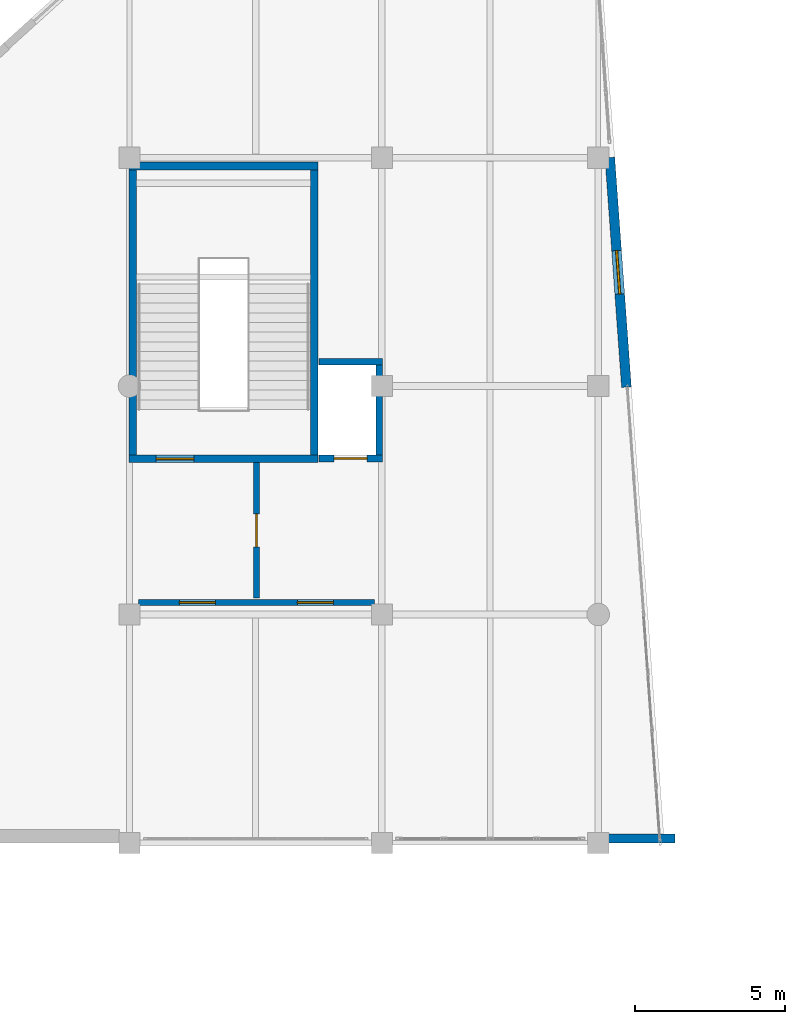
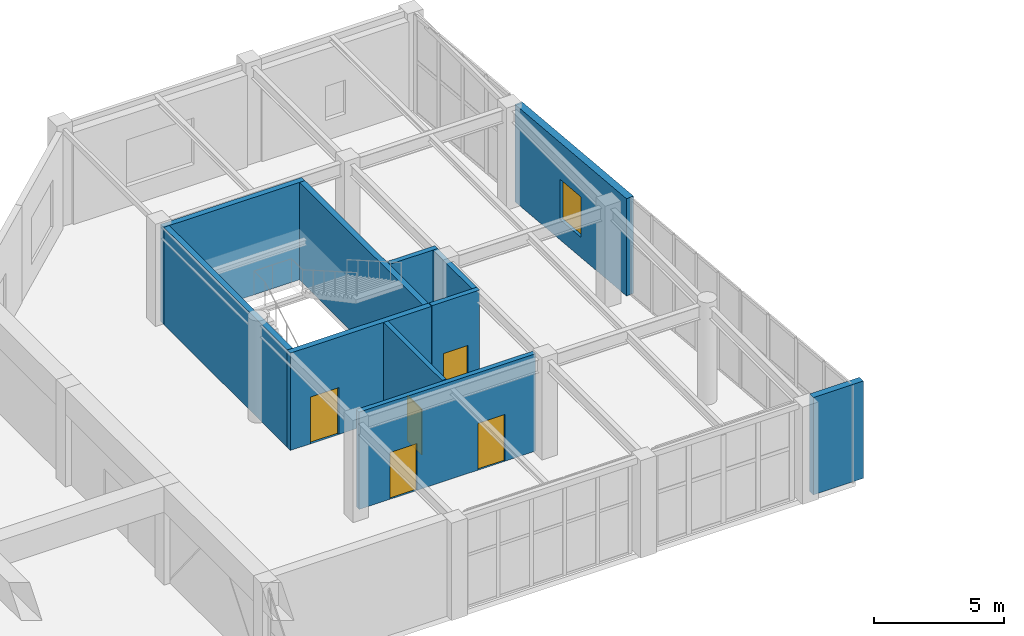
# One storey, part 64 of 72: 11 walls, 5 doors, 1 window, 6 openings.
"""IFC4 building model written with IfcOpenShell, lengths in metres."""

from ifc_helpers import new_model, si_unit, direction, frame, frame_2d, origin, place, context, subcontext, project, spatial, rectangle, extrude, material, layer, layer_set, type_object, element, fill, save


model = new_model("IFC4")

# Units and contexts
model_context = context("Model", 3, precision=1e-05, world=origin(), true_north=direction((0.0, 1.0)))
body_context = subcontext(model_context, "Body", "Model", "MODEL_VIEW")
ifc_project = project(units=[si_unit("LENGTHUNIT", "METRE"), si_unit("AREAUNIT", "SQUARE_METRE"), si_unit("VOLUMEUNIT", "CUBIC_METRE"), si_unit("PLANEANGLEUNIT", "RADIAN"), si_unit("MASSUNIT", "GRAM", prefix="KILO")], contexts=[model_context])

# Site, building, storey
site_placement = place(None, origin())
site = spatial("IfcSite", under=ifc_project, at=site_placement, CompositionType="ELEMENT")
building_placement = place(site_placement, origin())
building = spatial("IfcBuilding", under=site, at=building_placement, Name="Xicomal Pleat Aquarium", CompositionType="ELEMENT")
storey_placement = place(building_placement, frame((0.0, 0.0, 10.5)))
storey = spatial("IfcBuildingStorey", under=building, at=storey_placement, Name="L03", CompositionType="ELEMENT", Elevation=10.5)

# Wall, opening, door
ifc_material_1 = material(Name="Concrete C40/50", Category="concrete")
ifc_layer_1 = layer(ifc_material_1, 0.219970703125)
ifc_layer_set_1 = layer_set([ifc_layer_1], Name="Concrete C40/50")
wall_type_1 = type_object("IfcWallType", Name="WAL-COR-220", PredefinedType="SHEAR", material=ifc_layer_set_1)
wall_1_placement = place(storey_placement, frame((108.89990234375, 50.7900390625, 0.0), z_axis=(0.0, 0.0, 1.0), x_axis=(1.0, 0.0, 0.0)))
wall_1 = element("IfcWall", 1, at=wall_1_placement, inside=storey, type_object=wall_type_1, Name="L03 LF-07 lift shaft wall CW-L03-C7-LS", PredefinedType="SHEAR", context=body_context, shape_type="SweptSolid", body=[
    extrude(rectangle(XDim=2.1201171875, YDim=0.219970703125, at=frame_2d((1.06005859375, 0.0))), origin(), (0.0, 0.0, 1.0), 4.574951171875),
])
opening_1_placement = place(wall_1_placement, frame((0.510009765625, 0.0, 0.0)))
opening_1 = element("IfcOpeningElement", 2, at=opening_1_placement, cuts=wall_1, Name="Opening LD-07-L03", PredefinedType="OPENING", context=body_context, shape_type="SweptSolid", body=[
    extrude(rectangle(XDim=1.10009765625, YDim=2.14990234375, at=frame_2d((0.550048828125, 1.074951171875))), frame((0.0, 0.119873046875, 0.0), z_axis=(0.0, -1.0, 0.0), x_axis=(1.0, 0.0, 0.0)), (0.0, 0.0, 1.0), 0.239990234375),
])
ifc_material_2 = material(Name="Brushed stainless steel 304", Category="steel")
door_type_1 = type_object("IfcDoorType", Name="DOR-LD-1100x2150", OperationType="DOUBLE_DOOR_SLIDING", PredefinedType="DOOR", material=ifc_material_2)
door_1_placement = place(opening_1_placement, origin())
door_1 = element("IfcDoor", 3, at=door_1_placement, inside=storey, type_object=door_type_1, Name="L03 LF-07 sliding lift landing door", OperationType="DOUBLE_DOOR_SLIDING", OverallHeight=2.14990234375, OverallWidth=1.10009765625, PredefinedType="DOOR", context=body_context, shape_type="SweptSolid", body=[
    extrude(rectangle(XDim=1.10009765625, YDim=2.14990234375, at=frame_2d((0.550048828125, 1.074951171875))), frame((0.0, 0.02490234375, 0.0), z_axis=(0.0, -1.0, 0.0), x_axis=(1.0, 0.0, 0.0)), (0.0, 0.0, 1.0), 0.050048828125),
])
fill(opening_1, door_1)

# Walls
wall_2_placement = place(storey_placement, frame((108.89990234375, 54.010009765625, 0.0), z_axis=(0.0, 0.0, 1.0), x_axis=(1.0, 0.0, 0.0)))
element("IfcWall", 4, at=wall_2_placement, inside=storey, type_object=wall_type_1, Name="L03 LF-07 lift shaft wall CW-L03-C7-LN", PredefinedType="SHEAR", context=body_context, shape_type="SweptSolid", body=[
    extrude(rectangle(XDim=2.1201171875, YDim=0.219970703125, at=frame_2d((1.06005859375, 0.0))), origin(), (0.0, 0.0, 1.0), 4.574951171875),
])
wall_3_placement = place(storey_placement, frame((110.909912109375, 50.89990234375, 0.0), z_axis=(0.0, 0.0, 1.0), x_axis=(0.0, 1.0, 0.0)))
element("IfcWall", 5, at=wall_3_placement, inside=storey, type_object=wall_type_1, Name="L03 LF-07 lift shaft wall CW-L03-C7-LE", PredefinedType="SHEAR", context=body_context, shape_type="SweptSolid", body=[
    extrude(rectangle(XDim=3.0, YDim=0.219970703125, at=frame_2d((1.5, 0.0))), origin(), (0.0, 0.0, 1.0), 4.574951171875),
])

# Wall, opening, door
ifc_material_3 = material(Name="Concrete C40/50", Category="concrete")
ifc_layer_2 = layer(ifc_material_3, 0.25)
ifc_layer_set_2 = layer_set([ifc_layer_2], Name="Concrete C40/50")
wall_type_2 = type_object("IfcWallType", Name="WAL-COR-250", PredefinedType="SHEAR", material=ifc_layer_set_2)
wall_4_placement = place(storey_placement, frame((102.590087890625, 50.77490234375, 0.0), z_axis=(0.0, 0.0, 1.0), x_axis=(1.0, 0.0, 0.0)))
wall_4 = element("IfcWall", 6, at=wall_4_placement, inside=storey, type_object=wall_type_2, Name="L03 CORE-7 stair shear wall CW-L03-C7-SS", PredefinedType="SHEAR", context=body_context, shape_type="SweptSolid", body=[
    extrude(rectangle(XDim=6.280029296875, YDim=0.25, at=frame_2d((3.14013671875, 0.0))), origin(), (0.0, 0.0, 1.0), 4.574951171875),
])
opening_2_placement = place(wall_4_placement, frame((0.89990234375, 0.0, 0.0)))
opening_2 = element("IfcOpeningElement", 7, at=opening_2_placement, cuts=wall_4, Name="Opening SD-07-L03", PredefinedType="OPENING", context=body_context, shape_type="SweptSolid", body=[
    extrude(rectangle(XDim=1.25, YDim=2.199951171875, at=frame_2d((0.625, 1.10009765625))), frame((0.0, 0.135009765625, 0.0), z_axis=(0.0, -1.0, 0.0), x_axis=(1.0, 0.0, 0.0)), (0.0, 0.0, 1.0), 0.27001953125),
])
ifc_material_4 = material(Name="Powder-coated steel fire door", Category="steel")
door_type_2 = type_object("IfcDoorType", Name="DOR-ST-1250x2200", OperationType="NOTDEFINED", PredefinedType="DOOR", material=ifc_material_4)
door_2_placement = place(opening_2_placement, origin())
door_2 = element("IfcDoor", 8, at=door_2_placement, inside=storey, type_object=door_type_2, Name="L03 ST-07 protected stair door", OperationType="SINGLE_SWING_LEFT", OverallHeight=2.199951171875, OverallWidth=1.25, PredefinedType="DOOR", context=body_context, shape_type="SweptSolid", body=[
    extrude(rectangle(XDim=1.25, YDim=2.199951171875, at=frame_2d((0.625, 1.10009765625))), frame((0.0, 0.02490234375, 0.0), z_axis=(0.0, -1.0, 0.0), x_axis=(1.0, 0.0, 0.0)), (0.0, 0.0, 1.0), 0.050048828125),
])
fill(opening_2, door_2)

# Walls
wall_5_placement = place(storey_placement, frame((102.590087890625, 60.52490234375, 0.0), z_axis=(0.0, 0.0, 1.0), x_axis=(1.0, 0.0, 0.0)))
element("IfcWall", 9, at=wall_5_placement, inside=storey, type_object=wall_type_2, Name="L03 CORE-7 stair shear wall CW-L03-C7-SN", PredefinedType="SHEAR", context=body_context, shape_type="SweptSolid", body=[
    extrude(rectangle(XDim=6.280029296875, YDim=0.25, at=frame_2d((3.14013671875, 0.0))), origin(), (0.0, 0.0, 1.0), 4.574951171875),
])
for number, where, z_axis, x_axis, name in (
    (10, (102.715087890625, 50.89990234375, 0.0), (0.0, 0.0, 1.0), (0.0, 1.0, 0.0), "L03 CORE-7 stair shear wall CW-L03-C7-SW"),
    (11, (108.7451171875, 50.89990234375, 0.0), (0.0, 0.0, 1.0), (0.0, 1.0, 0.0), "L03 CORE-7 stair shear wall CW-L03-C7-SE"),
):
    element("IfcWall", number, at=place(storey_placement, frame(where, z_axis=z_axis, x_axis=x_axis)), inside=storey, type_object=wall_type_2, Name=name, PredefinedType="SHEAR", context=body_context, shape_type="SweptSolid", body=[
        extrude(rectangle(XDim=9.5, YDim=0.25, at=frame_2d((4.75, 0.0))), origin(), (0.0, 0.0, 1.0), 4.574951171875),
    ])
ifc_material_5 = material(Name="Precast concrete C40/50", Category="concrete")
ifc_layer_3 = layer(ifc_material_5, 0.2900390625)
ifc_layer_set_3 = layer_set([ifc_layer_3], Name="Precast concrete C40/50")
wall_type_3 = type_object("IfcWallType", Name="WAL-EXT-PRC-290", PredefinedType="SOLIDWALL", material=ifc_layer_set_3)
wall_6_placement = place(storey_placement, frame((120.760009765625, 38.14501953125, 0.0), z_axis=(0.0, 0.0, 1.0), x_axis=(-1.0, 0.0, 0.0)))
element("IfcWall", 12, at=wall_6_placement, inside=storey, type_object=wall_type_3, Name="L03 exterior basalt-precast wall EW-L03-033", PredefinedType="SOLIDWALL", context=body_context, shape_type="SweptSolid", body=[
    extrude(rectangle(XDim=2.22509765625, YDim=0.2900390625, at=frame_2d((1.112548828125, 0.0))), origin(), (0.0, 0.0, 1.0), 4.574951171875),
])

# Wall, opening, window
ifc_material_6 = material(Name="Precast concrete C40/50", Category="concrete")
ifc_layer_4 = layer(ifc_material_6, 0.324951171875)
ifc_layer_set_4 = layer_set([ifc_layer_4], Name="Precast concrete C40/50")
wall_type_4 = type_object("IfcWallType", Name="WAL-EXT-PRC-325", PredefinedType="SOLIDWALL", material=ifc_layer_set_4)
wall_7_placement = place(storey_placement, frame((118.5859375, 60.80810546875, 0.0), z_axis=(0.0, 0.0, 1.0), x_axis=(0.07218925375, -0.997390952256, 0.0)))
wall_7 = element("IfcWall", 13, at=wall_7_placement, inside=storey, type_object=wall_type_4, Name="L03 exterior basalt-precast wall EW-L03-030", PredefinedType="SOLIDWALL", context=body_context, shape_type="SweptSolid", body=[
    extrude(rectangle(XDim=7.66015625, YDim=0.324951171875, at=frame_2d((3.830078125, 0.0))), origin(), (0.0, 0.0, 1.0), 4.574951171875),
])
opening_3_placement = place(wall_7_placement, frame((3.10498046875, 0.0, 0.949951171875)))
opening_3 = element("IfcOpeningElement", 14, at=opening_3_placement, cuts=wall_7, Name="Opening WN-17", PredefinedType="OPENING", context=body_context, shape_type="SweptSolid", body=[
    extrude(rectangle(XDim=1.449951171875, YDim=1.89990234375, at=frame_2d((0.72509765625, 0.949951171875))), frame((0.0, 0.17236328125, 0.0), z_axis=(0.0, -1.0, 0.0), x_axis=(1.0, 0.0, 0.0)), (0.0, 0.0, 1.0), 0.344970703125),
])
ifc_material_7 = material(Name="Insulated low-E laminated glass", Category="glass")
window_type = type_object("IfcWindowType", Name="WIN-EXT-1450x1900", PartitioningType="SINGLE_PANEL", PredefinedType="WINDOW", material=ifc_material_7)
window_placement = place(opening_3_placement, origin())
window = element("IfcWindow", 15, at=window_placement, inside=storey, type_object=window_type, Name="L03 thermally broken low-E window 17", OverallHeight=1.89990234375, OverallWidth=1.449951171875, PartitioningType="SINGLE_PANEL", PredefinedType="WINDOW", context=body_context, shape_type="SweptSolid", body=[
    extrude(rectangle(XDim=1.449951171875, YDim=1.89990234375, at=frame_2d((0.72509765625, 0.949951171875))), frame((0.0, 0.030029296875, 0.0), z_axis=(0.0, -1.0, 0.0), x_axis=(1.0, 0.0, 0.0)), (0.0, 0.0, 1.0), 0.06005859375),
])
fill(opening_3, window)

# Wall, opening, door
ifc_material_8 = material(Name="Acoustic double-stud drywall partition", Category="gypsum")
ifc_layer_5 = layer(ifc_material_8, 0.195068359375)
ifc_layer_set_5 = layer_set([ifc_layer_5], Name="Acoustic double-stud drywall partition")
wall_type_5 = type_object("IfcWallType", Name="WAL-PRT-195", PredefinedType="PARTITIONING", material=ifc_layer_set_5)
wall_8_placement = place(storey_placement, frame((106.824951171875, 46.14990234375, 0.0), z_axis=(0.0, 0.0, 1.0), x_axis=(0.0, 1.0, 0.0)))
wall_8 = element("IfcWall", 16, at=wall_8_placement, inside=storey, type_object=wall_type_5, Name="L03 firefighting lobby smoke divider 7", PredefinedType="PARTITIONING", context=body_context, shape_type="SweptSolid", body=[
    extrude(rectangle(XDim=4.5, YDim=0.195068359375, at=frame_2d((2.25, 0.0))), origin(), (0.0, 0.0, 1.0), 4.574951171875),
])
opening_4_placement = place(wall_8_placement, frame((1.699951171875, 0.0, 0.0)))
opening_4 = element("IfcOpeningElement", 17, at=opening_4_placement, cuts=wall_8, Name="Opening FD-07C-L03", PredefinedType="OPENING", context=body_context, shape_type="SweptSolid", body=[
    extrude(rectangle(XDim=1.10009765625, YDim=2.14990234375, at=frame_2d((0.550048828125, 1.074951171875))), frame((0.0, 0.107421875, 0.0), z_axis=(0.0, -1.0, 0.0), x_axis=(1.0, 0.0, 0.0)), (0.0, 0.0, 1.0), 0.215087890625),
])
ifc_material_9 = material(Name="Powder-coated steel fire door", Category="steel")
door_type_3 = type_object("IfcDoorType", Name="DOR-LAB-1100x2150", OperationType="NOTDEFINED", PredefinedType="DOOR", material=ifc_material_9)
door_3_placement = place(opening_4_placement, origin())
door_3 = element("IfcDoor", 18, at=door_3_placement, inside=storey, type_object=door_type_3, Name="L03 lobby interconnecting fire door 7C", OperationType="SINGLE_SWING_RIGHT", OverallHeight=2.14990234375, OverallWidth=1.10009765625, PredefinedType="DOOR", context=body_context, shape_type="SweptSolid", body=[
    extrude(rectangle(XDim=1.10009765625, YDim=2.14990234375, at=frame_2d((0.550048828125, 1.074951171875))), frame((0.0, 0.02490234375, 0.0), z_axis=(0.0, -1.0, 0.0), x_axis=(1.0, 0.0, 0.0)), (0.0, 0.0, 1.0), 0.050048828125),
])
fill(opening_4, door_3)

# Wall, openings, doors
ifc_material_10 = material(Name="Fire-rated gypsum and mineral-wool partition", Category="gypsum")
ifc_layer_6 = layer(ifc_material_10, 0.2099609375)
ifc_layer_set_6 = layer_set([ifc_layer_6], Name="Fire-rated gypsum and mineral-wool partition")
wall_type_6 = type_object("IfcWallType", Name="WAL-PRT-210", PredefinedType="PARTITIONING", material=ifc_layer_set_6)
wall_9_placement = place(storey_placement, frame((102.89990234375, 46.0, 0.0), z_axis=(0.0, 0.0, 1.0), x_axis=(1.0, 0.0, 0.0)))
wall_9 = element("IfcWall", 19, at=wall_9_placement, inside=storey, type_object=wall_type_6, Name="L03 CORE-7 lobby fire enclosure wall", PredefinedType="PARTITIONING", context=body_context, shape_type="SweptSolid", body=[
    extrude(rectangle(XDim=7.85009765625, YDim=0.2099609375, at=frame_2d((3.925048828125, 0.0))), origin(), (0.0, 0.0, 1.0), 4.574951171875),
])
opening_5_placement = place(wall_9_placement, frame((1.362060546875, 0.0, 0.0)))
opening_5 = element("IfcOpeningElement", 20, at=opening_5_placement, cuts=wall_9, Name="Opening FD-07A-L03", PredefinedType="OPENING", context=body_context, shape_type="SweptSolid", body=[
    extrude(rectangle(XDim=1.199951171875, YDim=2.199951171875, at=frame_2d((0.60009765625, 1.10009765625))), frame((0.0, 0.114990234375, 0.0), z_axis=(0.0, -1.0, 0.0), x_axis=(1.0, 0.0, 0.0)), (0.0, 0.0, 1.0), 0.22998046875),
])
opening_6_placement = place(wall_9_placement, frame((5.287109375, 0.0, 0.0)))
opening_6 = element("IfcOpeningElement", 21, at=opening_6_placement, cuts=wall_9, Name="Opening FD-07B-L03", PredefinedType="OPENING", context=body_context, shape_type="SweptSolid", body=[
    extrude(rectangle(XDim=1.199951171875, YDim=2.199951171875, at=frame_2d((0.60009765625, 1.10009765625))), frame((0.0, 0.114990234375, 0.0), z_axis=(0.0, -1.0, 0.0), x_axis=(1.0, 0.0, 0.0)), (0.0, 0.0, 1.0), 0.22998046875),
])
ifc_material_11 = material(Name="Powder-coated steel fire door", Category="steel")
door_type_4 = type_object("IfcDoorType", Name="DOR-FFL-1200x2200", OperationType="NOTDEFINED", PredefinedType="DOOR", material=ifc_material_11)
door_4_placement = place(opening_5_placement, origin())
door_4 = element("IfcDoor", 22, at=door_4_placement, inside=storey, type_object=door_type_4, Name="L03 firefighting lobby door 7A", OperationType="SINGLE_SWING_RIGHT", OverallHeight=2.199951171875, OverallWidth=1.199951171875, PredefinedType="DOOR", context=body_context, shape_type="SweptSolid", body=[
    extrude(rectangle(XDim=1.199951171875, YDim=2.199951171875, at=frame_2d((0.60009765625, 1.10009765625))), frame((0.0, 0.02490234375, 0.0), z_axis=(0.0, -1.0, 0.0), x_axis=(1.0, 0.0, 0.0)), (0.0, 0.0, 1.0), 0.050048828125),
])
fill(opening_5, door_4)
door_5_placement = place(opening_6_placement, origin())
door_5 = element("IfcDoor", 23, at=door_5_placement, inside=storey, type_object=door_type_4, Name="L03 lift lobby door 7B", OperationType="SINGLE_SWING_LEFT", OverallHeight=2.199951171875, OverallWidth=1.199951171875, PredefinedType="DOOR", context=body_context, shape_type="SweptSolid", body=[
    extrude(rectangle(XDim=1.199951171875, YDim=2.199951171875, at=frame_2d((0.60009765625, 1.10009765625))), frame((0.0, 0.02490234375, 0.0), z_axis=(0.0, -1.0, 0.0), x_axis=(1.0, 0.0, 0.0)), (0.0, 0.0, 1.0), 0.050048828125),
])
fill(opening_6, door_5)

save(model, "model.ifc")
